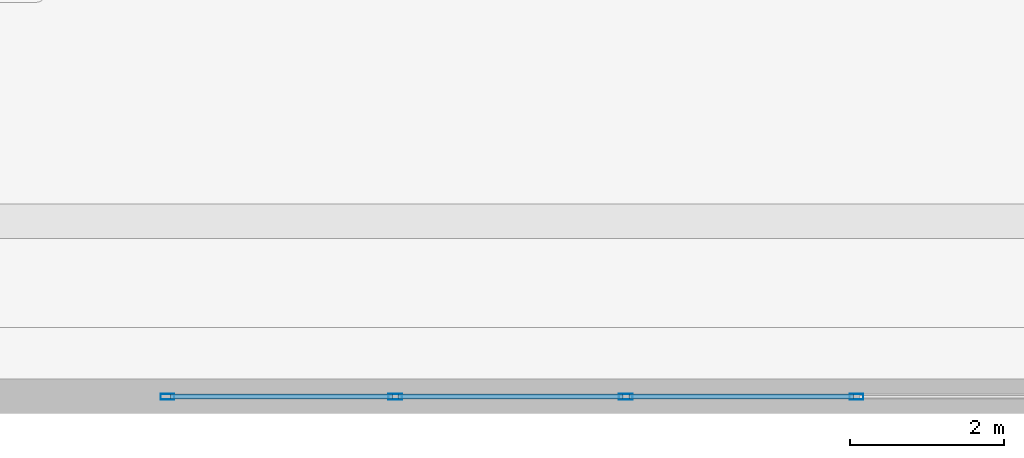
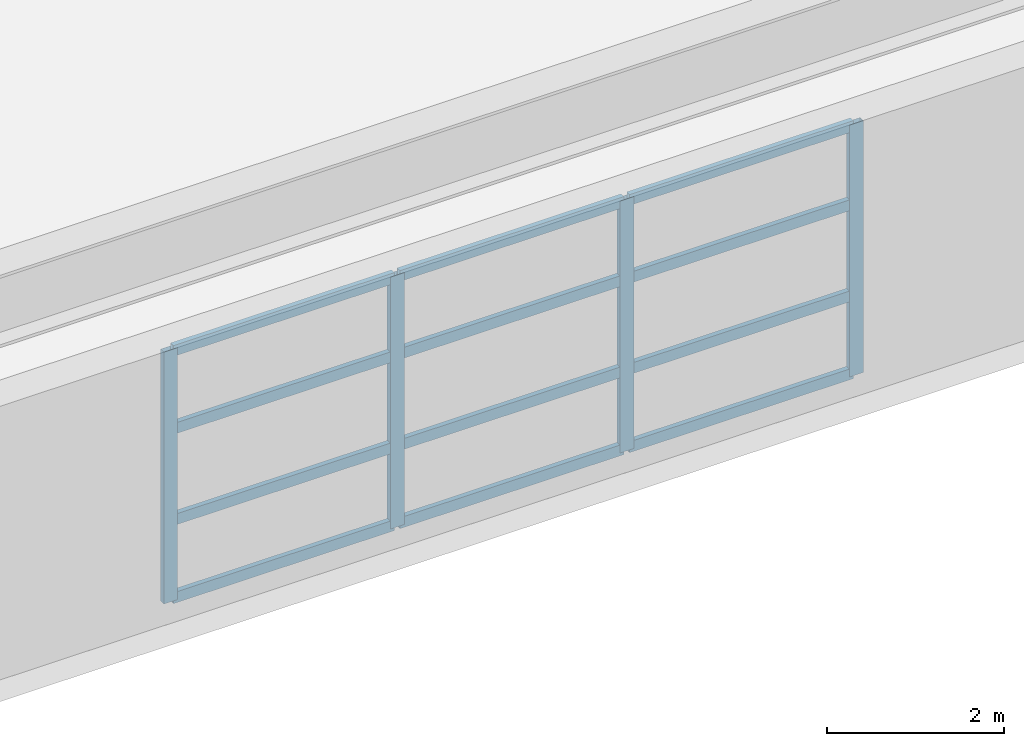
# One storey, part 4 of 25: 16 members, 1 element without a shape of its own.
"""IFC4 building model written with IfcOpenShell, lengths in metres."""

from ifc_helpers import new_model, si_unit, direction, frame, origin, origin_2d, place, context, subcontext, project, spatial, hollow_rectangle, extrude, material, layer, layer_set, material_profile, profile_set, type_object, element, aggregate, save


model = new_model("IFC4")

# Units and contexts
model_context = context("Model", 3, precision=1e-05, world=origin(), true_north=direction((0.0, 1.0)))
body_context = subcontext(model_context, "Body", "Model", "MODEL_VIEW")
ifc_project = project(units=[si_unit("LENGTHUNIT", "METRE"), si_unit("AREAUNIT", "SQUARE_METRE"), si_unit("VOLUMEUNIT", "CUBIC_METRE"), si_unit("PLANEANGLEUNIT", "RADIAN"), si_unit("MASSUNIT", "GRAM", prefix="KILO")], contexts=[model_context])

# Site, building, storey
site_placement = place(None, origin())
site = spatial("IfcSite", under=ifc_project, at=site_placement, CompositionType="ELEMENT")
building_placement = place(site_placement, origin())
building = spatial("IfcBuilding", under=site, at=building_placement, Name="Qiaolan Cultural Towers", CompositionType="ELEMENT")
storey_placement = place(building_placement, frame((0.0, 0.0, 22.0)))
storey = spatial("IfcBuildingStorey", under=building, at=storey_placement, Name="L04", CompositionType="ELEMENT", Elevation=22.0)

# Curtain wall, members
ifc_material_1 = material(Name="Unitized Anodized Aluminium Curtain Wall System", Category="aluminium")
ifc_layer = layer(ifc_material_1, 0.199951171875)
ifc_layer_set = layer_set([ifc_layer], Name="Unitized Anodized Aluminium Curtain Wall System")
curtain_wall_type = type_object("IfcCurtainWallType", Name="CWS-01", PredefinedType="NOTDEFINED", material=ifc_layer_set)
curtain_wall_placement = place(storey_placement, origin())
curtain_wall = element("IfcCurtainWall", 1, at=curtain_wall_placement, inside=storey, type_object=curtain_wall_type, Name="L04 South Atrium Curtain Wall", PredefinedType="NOTDEFINED")
ifc_material_2 = material(Name="Extruded Aluminium 6063-T6", Category="aluminium")
ifc_material_profile_1 = material_profile(ifc_material_2, hollow_rectangle(XDim=0.074951171875, YDim=0.179931640625, WallThickness=0.00390625, at=origin_2d()), Name="CWM-180x75x4")
ifc_profile_set_1 = profile_set([ifc_material_profile_1], Name="Extruded Aluminium 6063-T6")
member_type_1 = type_object("IfcMemberType", Name="CWS-01-MUL", PredefinedType="MULLION", material=ifc_profile_set_1)
member_1_placement = place(storey_placement, frame((50.03759765625, 0.219970703125, 0.14990234375), z_axis=(0.0, 0.0, 1.0), x_axis=(0.0, 1.0, 0.0)))
member_1 = element("IfcMember", 2, at=member_1_placement, type_object=member_type_1, Name="CW-1 mullion 1", PredefinedType="MULLION", context=body_context, shape_type="SweptSolid", body=[
    extrude(hollow_rectangle(XDim=0.074951171875, YDim=0.179931640625, WallThickness=0.00390625, at=origin_2d()), origin(), (0.0, 0.0, 1.0), 3.47998046875),
])
member_2_placement = place(storey_placement, frame((53.0, 0.219970703125, 0.14990234375), z_axis=(0.0, 0.0, 1.0), x_axis=(0.0, 1.0, 0.0)))
member_2 = element("IfcMember", 3, at=member_2_placement, type_object=member_type_1, Name="CW-1 mullion 2", PredefinedType="MULLION", context=body_context, shape_type="SweptSolid", body=[
    extrude(hollow_rectangle(XDim=0.074951171875, YDim=0.179931640625, WallThickness=0.00390625, at=origin_2d()), origin(), (0.0, 0.0, 1.0), 3.47998046875),
])
member_3_placement = place(storey_placement, frame((56.0, 0.219970703125, 0.14990234375), z_axis=(0.0, 0.0, 1.0), x_axis=(0.0, 1.0, 0.0)))
member_3 = element("IfcMember", 4, at=member_3_placement, type_object=member_type_1, Name="CW-1 mullion 3", PredefinedType="MULLION", context=body_context, shape_type="SweptSolid", body=[
    extrude(hollow_rectangle(XDim=0.074951171875, YDim=0.179931640625, WallThickness=0.00390625, at=origin_2d()), origin(), (0.0, 0.0, 1.0), 3.47998046875),
])
member_4_placement = place(storey_placement, frame((59.0, 0.219970703125, 0.14990234375), z_axis=(0.0, 0.0, 1.0), x_axis=(0.0, 1.0, 0.0)))
member_4 = element("IfcMember", 5, at=member_4_placement, type_object=member_type_1, Name="CW-1 mullion 4", PredefinedType="MULLION", context=body_context, shape_type="SweptSolid", body=[
    extrude(hollow_rectangle(XDim=0.074951171875, YDim=0.179931640625, WallThickness=0.00390625, at=origin_2d()), origin(), (0.0, 0.0, 1.0), 3.47998046875),
])
ifc_material_3 = material(Name="Extruded Aluminium 6063-T6", Category="aluminium")
ifc_material_profile_2 = material_profile(ifc_material_3, hollow_rectangle(XDim=0.06494140625, YDim=0.14990234375, WallThickness=0.00390625, at=origin_2d()), Name="CWT-150x65x4")
ifc_profile_set_2 = profile_set([ifc_material_profile_2], Name="Extruded Aluminium 6063-T6")
member_type_2 = type_object("IfcMemberType", Name="CWS-01-TRN", PredefinedType="USERDEFINED", material=ifc_profile_set_2)
member_5_placement = place(storey_placement, frame((50.074951171875, 0.219970703125, 0.1826171875), z_axis=(1.0, 0.0, 0.0), x_axis=(0.0, 1.0, 0.0)))
member_5 = element("IfcMember", 6, at=member_5_placement, type_object=member_type_2, Name="CW-1 transom 1.1", ObjectType="TRANSOM", PredefinedType="USERDEFINED", context=body_context, shape_type="SweptSolid", body=[
    extrude(hollow_rectangle(XDim=0.06494140625, YDim=0.14990234375, WallThickness=0.00390625, at=origin_2d()), origin(), (0.0, 0.0, 1.0), 2.887451171875),
])
member_6_placement = place(storey_placement, frame((50.074951171875, 0.219970703125, 1.260009765625), z_axis=(1.0, 0.0, 0.0), x_axis=(0.0, 1.0, 0.0)))
member_6 = element("IfcMember", 7, at=member_6_placement, type_object=member_type_2, Name="CW-1 transom 1.2", ObjectType="TRANSOM", PredefinedType="USERDEFINED", context=body_context, shape_type="SweptSolid", body=[
    extrude(hollow_rectangle(XDim=0.06494140625, YDim=0.14990234375, WallThickness=0.00390625, at=origin_2d()), origin(), (0.0, 0.0, 1.0), 2.887451171875),
])
member_7_placement = place(storey_placement, frame((50.074951171875, 0.219970703125, 2.52001953125), z_axis=(1.0, 0.0, 0.0), x_axis=(0.0, 1.0, 0.0)))
member_7 = element("IfcMember", 8, at=member_7_placement, type_object=member_type_2, Name="CW-1 transom 1.3", ObjectType="TRANSOM", PredefinedType="USERDEFINED", context=body_context, shape_type="SweptSolid", body=[
    extrude(hollow_rectangle(XDim=0.06494140625, YDim=0.14990234375, WallThickness=0.00390625, at=origin_2d()), origin(), (0.0, 0.0, 1.0), 2.887451171875),
])
member_8_placement = place(storey_placement, frame((50.074951171875, 0.219970703125, 3.597412109375), z_axis=(1.0, 0.0, 0.0), x_axis=(0.0, 1.0, 0.0)))
member_8 = element("IfcMember", 9, at=member_8_placement, type_object=member_type_2, Name="CW-1 transom 1.4", ObjectType="TRANSOM", PredefinedType="USERDEFINED", context=body_context, shape_type="SweptSolid", body=[
    extrude(hollow_rectangle(XDim=0.06494140625, YDim=0.14990234375, WallThickness=0.00390625, at=origin_2d()), origin(), (0.0, 0.0, 1.0), 2.887451171875),
])
member_9_placement = place(storey_placement, frame((53.03759765625, 0.219970703125, 0.1826171875), z_axis=(1.0, 0.0, 0.0), x_axis=(0.0, 1.0, 0.0)))
member_9 = element("IfcMember", 10, at=member_9_placement, type_object=member_type_2, Name="CW-1 transom 2.1", ObjectType="TRANSOM", PredefinedType="USERDEFINED", context=body_context, shape_type="SweptSolid", body=[
    extrude(hollow_rectangle(XDim=0.06494140625, YDim=0.14990234375, WallThickness=0.00390625, at=origin_2d()), origin(), (0.0, 0.0, 1.0), 2.9248046875),
])
member_10_placement = place(storey_placement, frame((53.03759765625, 0.219970703125, 1.260009765625), z_axis=(1.0, 0.0, 0.0), x_axis=(0.0, 1.0, 0.0)))
member_10 = element("IfcMember", 11, at=member_10_placement, type_object=member_type_2, Name="CW-1 transom 2.2", ObjectType="TRANSOM", PredefinedType="USERDEFINED", context=body_context, shape_type="SweptSolid", body=[
    extrude(hollow_rectangle(XDim=0.06494140625, YDim=0.14990234375, WallThickness=0.00390625, at=origin_2d()), origin(), (0.0, 0.0, 1.0), 2.9248046875),
])
member_11_placement = place(storey_placement, frame((53.03759765625, 0.219970703125, 2.52001953125), z_axis=(1.0, 0.0, 0.0), x_axis=(0.0, 1.0, 0.0)))
member_11 = element("IfcMember", 12, at=member_11_placement, type_object=member_type_2, Name="CW-1 transom 2.3", ObjectType="TRANSOM", PredefinedType="USERDEFINED", context=body_context, shape_type="SweptSolid", body=[
    extrude(hollow_rectangle(XDim=0.06494140625, YDim=0.14990234375, WallThickness=0.00390625, at=origin_2d()), origin(), (0.0, 0.0, 1.0), 2.9248046875),
])
member_12_placement = place(storey_placement, frame((53.03759765625, 0.219970703125, 3.597412109375), z_axis=(1.0, 0.0, 0.0), x_axis=(0.0, 1.0, 0.0)))
member_12 = element("IfcMember", 13, at=member_12_placement, type_object=member_type_2, Name="CW-1 transom 2.4", ObjectType="TRANSOM", PredefinedType="USERDEFINED", context=body_context, shape_type="SweptSolid", body=[
    extrude(hollow_rectangle(XDim=0.06494140625, YDim=0.14990234375, WallThickness=0.00390625, at=origin_2d()), origin(), (0.0, 0.0, 1.0), 2.9248046875),
])
member_13_placement = place(storey_placement, frame((56.03759765625, 0.219970703125, 0.1826171875), z_axis=(1.0, 0.0, 0.0), x_axis=(0.0, 1.0, 0.0)))
member_13 = element("IfcMember", 14, at=member_13_placement, type_object=member_type_2, Name="CW-1 transom 3.1", ObjectType="TRANSOM", PredefinedType="USERDEFINED", context=body_context, shape_type="SweptSolid", body=[
    extrude(hollow_rectangle(XDim=0.06494140625, YDim=0.14990234375, WallThickness=0.00390625, at=origin_2d()), origin(), (0.0, 0.0, 1.0), 2.9248046875),
])
member_14_placement = place(storey_placement, frame((56.03759765625, 0.219970703125, 1.260009765625), z_axis=(1.0, 0.0, 0.0), x_axis=(0.0, 1.0, 0.0)))
member_14 = element("IfcMember", 15, at=member_14_placement, type_object=member_type_2, Name="CW-1 transom 3.2", ObjectType="TRANSOM", PredefinedType="USERDEFINED", context=body_context, shape_type="SweptSolid", body=[
    extrude(hollow_rectangle(XDim=0.06494140625, YDim=0.14990234375, WallThickness=0.00390625, at=origin_2d()), origin(), (0.0, 0.0, 1.0), 2.9248046875),
])
member_15_placement = place(storey_placement, frame((56.03759765625, 0.219970703125, 2.52001953125), z_axis=(1.0, 0.0, 0.0), x_axis=(0.0, 1.0, 0.0)))
member_15 = element("IfcMember", 16, at=member_15_placement, type_object=member_type_2, Name="CW-1 transom 3.3", ObjectType="TRANSOM", PredefinedType="USERDEFINED", context=body_context, shape_type="SweptSolid", body=[
    extrude(hollow_rectangle(XDim=0.06494140625, YDim=0.14990234375, WallThickness=0.00390625, at=origin_2d()), origin(), (0.0, 0.0, 1.0), 2.9248046875),
])
member_16_placement = place(storey_placement, frame((56.03759765625, 0.219970703125, 3.597412109375), z_axis=(1.0, 0.0, 0.0), x_axis=(0.0, 1.0, 0.0)))
member_16 = element("IfcMember", 17, at=member_16_placement, type_object=member_type_2, Name="CW-1 transom 3.4", ObjectType="TRANSOM", PredefinedType="USERDEFINED", context=body_context, shape_type="SweptSolid", body=[
    extrude(hollow_rectangle(XDim=0.06494140625, YDim=0.14990234375, WallThickness=0.00390625, at=origin_2d()), origin(), (0.0, 0.0, 1.0), 2.9248046875),
])
aggregate(curtain_wall, [member_1, member_2, member_3, member_4, member_5, member_6, member_7, member_8, member_9, member_10, member_11, member_12, member_13, member_14, member_15, member_16])

save(model, "model.ifc")
